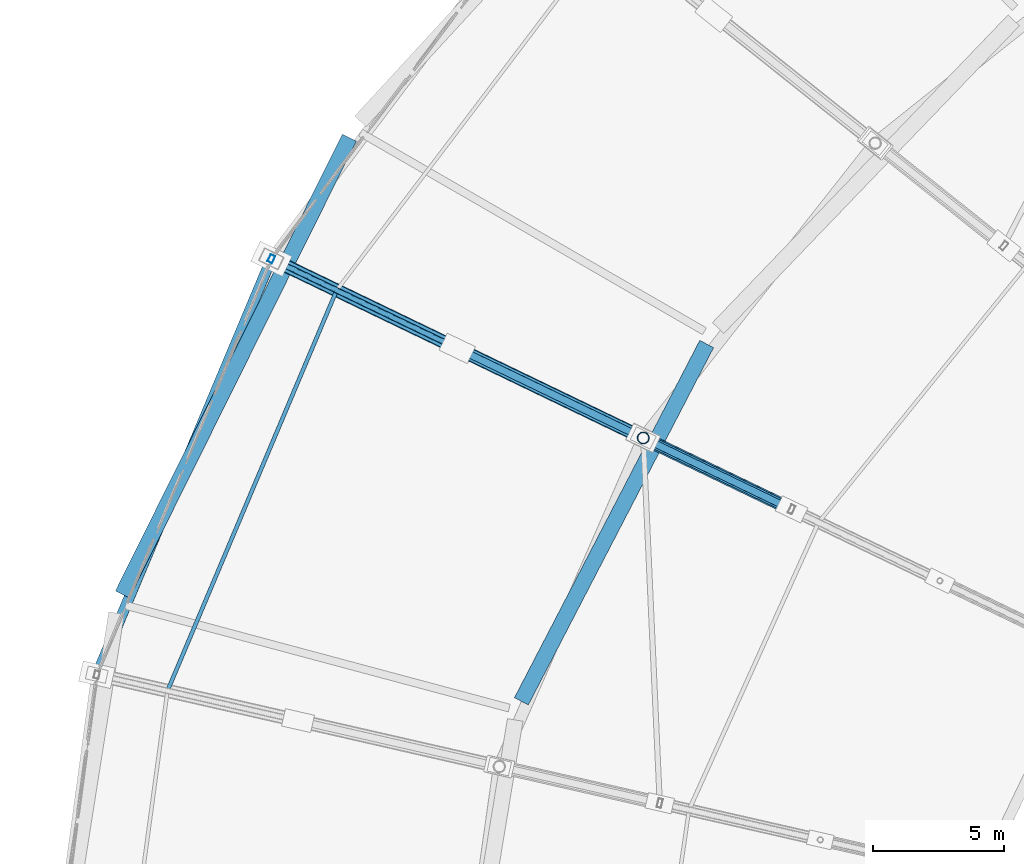
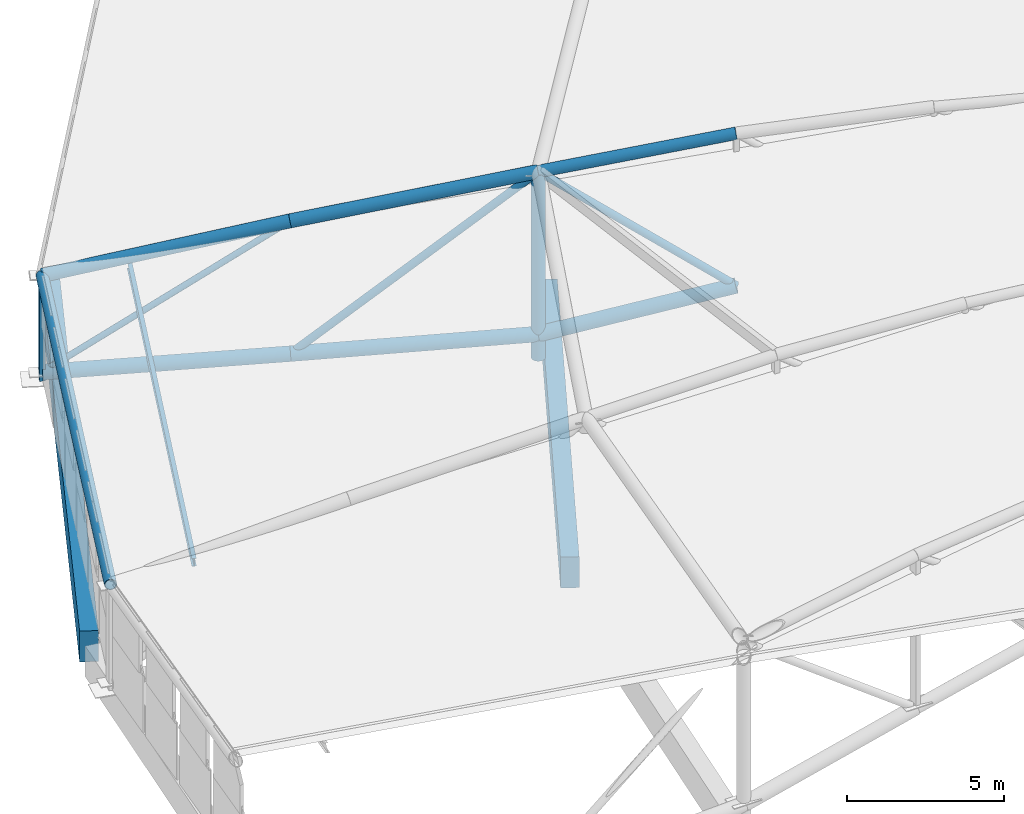
# One storey, part 37 of 108: 13 members, 2 beams.
"""IFC4 building model written with IfcOpenShell, lengths in metres."""

from ifc_helpers import new_model, si_unit, direction, frame, origin, origin_2d, place, context, subcontext, project, spatial, rectangle, hollow_rectangle, hollow_circle, i_section, extrude, material, material_profile, profile_set, type_object, element, save


model = new_model("IFC4")

# Units and contexts
model_context = context("Model", 3, precision=1e-05, world=origin(), true_north=direction((0.0, 1.0)))
body_context = subcontext(model_context, "Body", "Model", "MODEL_VIEW")
ifc_project = project(units=[si_unit("LENGTHUNIT", "METRE"), si_unit("AREAUNIT", "SQUARE_METRE"), si_unit("VOLUMEUNIT", "CUBIC_METRE"), si_unit("PLANEANGLEUNIT", "RADIAN"), si_unit("MASSUNIT", "GRAM", prefix="KILO")], contexts=[model_context])

# Site, building, storey
site_placement = place(None, origin())
site = spatial("IfcSite", under=ifc_project, at=site_placement, CompositionType="ELEMENT")
building_placement = place(site_placement, origin())
building = spatial("IfcBuilding", under=site, at=building_placement, Name="Zevraka Park Crest Stadium", CompositionType="ELEMENT")
storey_placement = place(building_placement, frame((0.0, 0.0, 29.39990234375)))
storey = spatial("IfcBuildingStorey", under=building, at=storey_placement, Name="RF", CompositionType="ELEMENT", Elevation=29.39990234375)

# Member
ifc_material_1 = material(Name="Steel S355", Category="steel")
ifc_material_profile_1 = material_profile(ifc_material_1, i_section(OverallWidth=0.14990234375, OverallDepth=0.300048828125, WebThickness=0.007080078125, FlangeThickness=0.0107421875, at=origin_2d()), Name="IPE 300")
ifc_profile_set_1 = profile_set([ifc_material_profile_1], Name="Steel S355")
member_type_1 = type_object("IfcMemberType", Name="PR02", PredefinedType="PURLIN", material=ifc_profile_set_1)
member_1_placement = place(storey_placement, frame((33.14404296875, 123.467041015625, 4.287109375), z_axis=(-0.389065562853, -0.921210067141, 0.0), x_axis=(0.921210067141, -0.389065562853, 0.0)))
element("IfcMember", 1, at=member_1_placement, inside=storey, type_object=member_type_1, Name="Canopy Roof Purlin PR02 OUTER-13-1", PredefinedType="PURLIN", context=body_context, shape_type="SweptSolid", body=[
    extrude(i_section(OverallWidth=0.14990234375, OverallDepth=0.300048828125, WebThickness=0.007080078125, FlangeThickness=0.0107421875, at=origin_2d()), origin(), (0.0, 0.0, 1.0), 16.64013671875),
])

# Beams
ifc_material_2 = material(Name="Concrete C40/50", Category="concrete")
ifc_material_profile_2 = material_profile(ifc_material_2, rectangle(XDim=0.60009765625, YDim=1.199951171875, at=origin_2d()), Name="RC 1200x600")
ifc_profile_set_2 = profile_set([ifc_material_profile_2], Name="Concrete C40/50")
beam_type = type_object("IfcBeamType", Name="RB01", PredefinedType="BEAM", material=ifc_profile_set_2)
beam_1_placement = place(storey_placement, frame((47.305908203125, 121.4130859375, -0.599853515625), z_axis=(-0.460343993973, -0.887740619333, 0.0), x_axis=(0.887740619333, -0.460343993973, 0.0)))
element("IfcBeam", 2, at=beam_1_placement, inside=storey, type_object=beam_type, Name="Ring Beam RB01 RF-B-10", PredefinedType="BEAM", context=body_context, shape_type="SweptSolid", body=[
    extrude(rectangle(XDim=0.60009765625, YDim=1.199951171875, at=origin_2d()), origin(), (0.0, 0.0, 1.0), 15.405517578125),
])
beam_2_placement = place(storey_placement, frame((33.62890625, 129.31005859375, -0.599853515625), z_axis=(-0.444850507814, -0.895604837916, 0.0), x_axis=(0.895604837916, -0.444850507814, 0.0)))
element("IfcBeam", 3, at=beam_2_placement, inside=storey, type_object=beam_type, Name="Ring Beam RB01 RF-D-10", PredefinedType="BEAM", context=body_context, shape_type="SweptSolid", body=[
    extrude(rectangle(XDim=0.60009765625, YDim=1.199951171875, at=origin_2d()), origin(), (0.0, 0.0, 1.0), 19.5185546875),
])

# Members
ifc_material_3 = material(Name="Steel S355", Category="steel")
ifc_material_profile_3 = material_profile(ifc_material_3, hollow_circle(Radius=0.25390625, WallThickness=0.030029296875, at=origin_2d()), Name="CHS 508.0x30")
ifc_profile_set_3 = profile_set([ifc_material_profile_3], Name="Steel S355")
member_type_2 = type_object("IfcMemberType", Name="TC01", PredefinedType="CHORD", material=ifc_profile_set_3)
member_2_placement = place(storey_placement, frame((30.64306640625, 124.6708984375, 0.25), z_axis=(0.900336253533, -0.433536413531, 0.037957986196), x_axis=(0.433849072955, 0.900985561425, 0.0)))
element("IfcMember", 4, at=member_2_placement, inside=storey, type_object=member_type_2, Name="Roof Truss Bottom Chord TC01 T13-1", PredefinedType="CHORD", context=body_context, shape_type="SweptSolid", body=[
    extrude(hollow_circle(Radius=0.25390625, WallThickness=0.030029296875, at=origin_2d()), origin(), (0.0, 0.0, 1.0), 7.90478515625),
])
member_3_placement = place(storey_placement, frame((37.760009765625, 121.243896484375, 0.550048828125), z_axis=(0.900077183538, -0.433475689729, 0.044270645899), x_axis=(0.4339010975, 0.90096050834, 0.0)))
element("IfcMember", 5, at=member_3_placement, inside=storey, type_object=member_type_2, Name="Roof Truss Bottom Chord TC01 T13-2", PredefinedType="CHORD", context=body_context, shape_type="SweptSolid", body=[
    extrude(hollow_circle(Radius=0.25390625, WallThickness=0.030029296875, at=origin_2d()), origin(), (0.0, 0.0, 1.0), 7.908203125),
])
member_4_placement = place(storey_placement, frame((44.8779296875, 117.81591796875, 0.900146484375), z_axis=(0.874906219459, -0.42125253648, 0.238925527435), x_axis=(0.433816783994, 0.901001108726, 0.0)))
element("IfcMember", 6, at=member_4_placement, inside=storey, type_object=member_type_2, Name="Roof Truss Bottom Chord TC01 T13-3", PredefinedType="CHORD", context=body_context, shape_type="SweptSolid", body=[
    extrude(hollow_circle(Radius=0.25390625, WallThickness=0.030029296875, at=origin_2d()), origin(), (0.0, 0.0, 1.0), 6.487548828125),
])
ifc_material_4 = material(Name="Steel S355", Category="steel")
ifc_material_profile_4 = material_profile(ifc_material_4, hollow_circle(Radius=0.228515625, WallThickness=0.02490234375, at=origin_2d()), Name="CHS 457.0x25")
ifc_profile_set_4 = profile_set([ifc_material_profile_4], Name="Steel S355")
member_type_3 = type_object("IfcMemberType", Name="TC02", PredefinedType="CHORD", material=ifc_profile_set_4)
member_5_placement = place(storey_placement, frame((44.8779296875, 117.81591796875, 0.0), z_axis=(0.0, 0.0, 1.0), x_axis=(-0.90100131981, 0.43381634559, 0.0)))
element("IfcMember", 7, at=member_5_placement, inside=storey, type_object=member_type_3, Name="Roof Truss Anchor Strut TC02 T13-2", PredefinedType="CHORD", context=body_context, shape_type="SweptSolid", body=[
    extrude(hollow_circle(Radius=0.228515625, WallThickness=0.02490234375, at=origin_2d()), origin(), (0.0, 0.0, 1.0), 7.2001953125),
])
member_6_placement = place(storey_placement, frame((30.64306640625, 124.6708984375, 4.0), z_axis=(0.88081326699, -0.424135564088, 0.210421035001), x_axis=(0.433849072955, 0.900985561425, 0.0)))
element("IfcMember", 8, at=member_6_placement, inside=storey, type_object=member_type_3, Name="Roof Truss Top Chord TC02 T13-1", PredefinedType="CHORD", context=body_context, shape_type="SweptSolid", body=[
    extrude(hollow_circle(Radius=0.228515625, WallThickness=0.02490234375, at=origin_2d()), origin(), (0.0, 0.0, 1.0), 8.080078125),
])
member_7_placement = place(storey_placement, frame((37.760009765625, 121.243896484375, 5.7001953125), z_axis=(0.885147609598, -0.426285631499, 0.186532221347), x_axis=(0.4339010975, 0.90096050834, 0.0)))
element("IfcMember", 9, at=member_7_placement, inside=storey, type_object=member_type_3, Name="Roof Truss Top Chord TC02 T13-2", PredefinedType="CHORD", context=body_context, shape_type="SweptSolid", body=[
    extrude(hollow_circle(Radius=0.228515625, WallThickness=0.02490234375, at=origin_2d()), origin(), (0.0, 0.0, 1.0), 8.04150390625),
])
ifc_material_5 = material(Name="Steel S355", Category="steel")
ifc_material_profile_5 = material_profile(ifc_material_5, hollow_circle(Radius=0.203125, WallThickness=0.02001953125, at=origin_2d()), Name="CHS 406.4x20")
ifc_profile_set_5 = profile_set([ifc_material_profile_5], Name="Steel S355")
member_type_4 = type_object("IfcMemberType", Name="TC03", PredefinedType="CHORD", material=ifc_profile_set_5)
member_8_placement = place(storey_placement, frame((44.8779296875, 117.81591796875, 7.2001953125), z_axis=(0.886356119911, -0.426765469753, 0.179566317897), x_axis=(0.433816783994, 0.901001108726, 0.0)))
element("IfcMember", 10, at=member_8_placement, inside=storey, type_object=member_type_4, Name="Roof Truss Top Chord TC03 T13-3", PredefinedType="CHORD", context=body_context, shape_type="SweptSolid", body=[
    extrude(hollow_circle(Radius=0.203125, WallThickness=0.02001953125, at=origin_2d()), origin(), (0.0, 0.0, 1.0), 6.40380859375),
])
member_9_placement = place(storey_placement, frame((30.64306640625, 124.6708984375, 4.0), z_axis=(-0.386973466907, -0.922090850139, 0.0), x_axis=(0.922090850139, -0.386973466907, 0.0)))
element("IfcMember", 11, at=member_9_placement, inside=storey, type_object=member_type_4, Name="Roof Outer Canopy Ring Chord TC03 13", PredefinedType="CHORD", context=body_context, shape_type="SweptSolid", body=[
    extrude(hollow_circle(Radius=0.203125, WallThickness=0.02001953125, at=origin_2d()), origin(), (0.0, 0.0, 1.0), 17.259521484375),
])
ifc_material_6 = material(Name="Steel S355", Category="steel")
ifc_material_profile_6 = material_profile(ifc_material_6, hollow_circle(Radius=0.136474609375, WallThickness=0.012451171875, at=origin_2d()), Name="CHS 273.0x12.5")
ifc_profile_set_6 = profile_set([ifc_material_profile_6], Name="Steel S355")
member_type_5 = type_object("IfcMemberType", Name="WB01", PredefinedType="BRACE", material=ifc_profile_set_6)
member_10_placement = place(storey_placement, frame((37.760009765625, 121.243896484375, 0.550048828125), z_axis=(0.689274928497, -0.331953670761, 0.643977354736), x_axis=(0.4339010975, 0.90096050834, 0.0)))
element("IfcMember", 12, at=member_10_placement, inside=storey, type_object=member_type_5, Name="Roof Truss Web Diagonal WB01 T13-2", PredefinedType="BRACE", context=body_context, shape_type="SweptSolid", body=[
    extrude(hollow_circle(Radius=0.136474609375, WallThickness=0.012451171875, at=origin_2d()), origin(), (0.0, 0.0, 1.0), 10.32666015625),
])
member_11_placement = place(storey_placement, frame((50.553955078125, 115.0830078125, 2.4501953125), z_axis=(-0.719415295857, 0.346386288521, 0.602044991019), x_axis=(-0.433816783994, -0.901001108726, 0.0)))
element("IfcMember", 13, at=member_11_placement, inside=storey, type_object=member_type_5, Name="Roof Truss Web Diagonal WB01 T13-3", PredefinedType="BRACE", context=body_context, shape_type="SweptSolid", body=[
    extrude(hollow_circle(Radius=0.136474609375, WallThickness=0.012451171875, at=origin_2d()), origin(), (0.0, 0.0, 1.0), 7.889892578125),
])
ifc_material_7 = material(Name="Steel S355", Category="steel")
ifc_material_profile_7 = material_profile(ifc_material_7, hollow_circle(Radius=0.109619140625, WallThickness=0.010009765625, at=origin_2d()), Name="CHS 219.1x10")
ifc_profile_set_7 = profile_set([ifc_material_profile_7], Name="Steel S355")
member_type_6 = type_object("IfcMemberType", Name="WB02", PredefinedType="BRACE", material=ifc_profile_set_7)
member_12_placement = place(storey_placement, frame((30.64306640625, 124.6708984375, 0.25), z_axis=(0.741590296153, -0.357095913934, 0.567914025979), x_axis=(0.433849072955, 0.900985561425, 0.0)))
element("IfcMember", 14, at=member_12_placement, inside=storey, type_object=member_type_6, Name="Roof Truss Web Diagonal WB02 T13-1", PredefinedType="BRACE", context=body_context, shape_type="SweptSolid", body=[
    extrude(hollow_circle(Radius=0.109619140625, WallThickness=0.010009765625, at=origin_2d()), origin(), (0.0, 0.0, 1.0), 9.596923828125),
])
ifc_material_8 = material(Name="Steel S355", Category="steel")
ifc_material_profile_8 = material_profile(ifc_material_8, hollow_rectangle(XDim=0.199951171875, YDim=0.300048828125, WallThickness=0.012451171875, at=origin_2d()), Name="RHS 300x200x12.5")
ifc_profile_set_8 = profile_set([ifc_material_profile_8], Name="Steel S355")
member_type_7 = type_object("IfcMemberType", Name="WB03", PredefinedType="BRACE", material=ifc_profile_set_8)
member_13_placement = place(storey_placement, frame((30.64306640625, 124.6708984375, 0.0), z_axis=(0.0, 0.0, 1.0), x_axis=(-0.90100131981, 0.43381634559, 0.0)))
element("IfcMember", 15, at=member_13_placement, inside=storey, type_object=member_type_7, Name="Roof Truss Anchor Strut WB03 T13-0", PredefinedType="BRACE", context=body_context, shape_type="SweptSolid", body=[
    extrude(hollow_rectangle(XDim=0.199951171875, YDim=0.300048828125, WallThickness=0.012451171875, at=origin_2d()), origin(), (0.0, 0.0, 1.0), 4.0),
])

save(model, "model.ifc")
